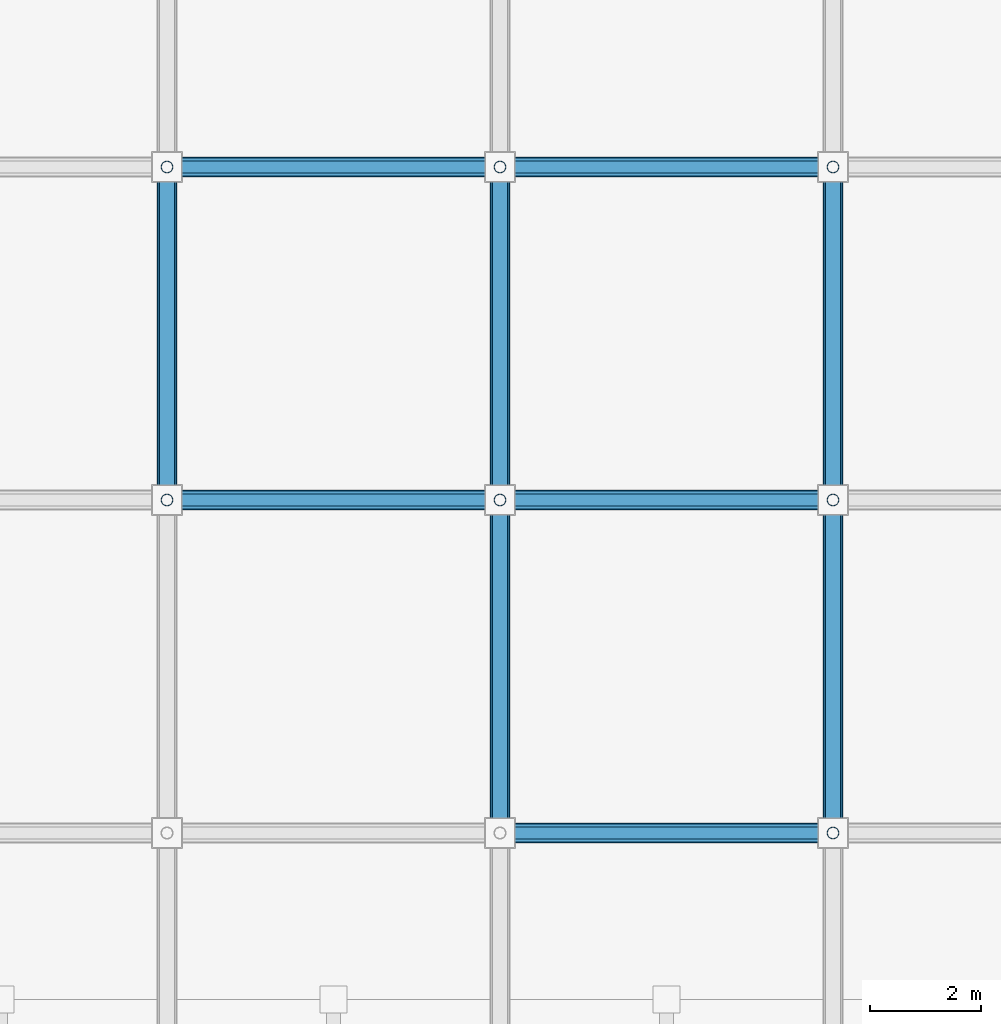
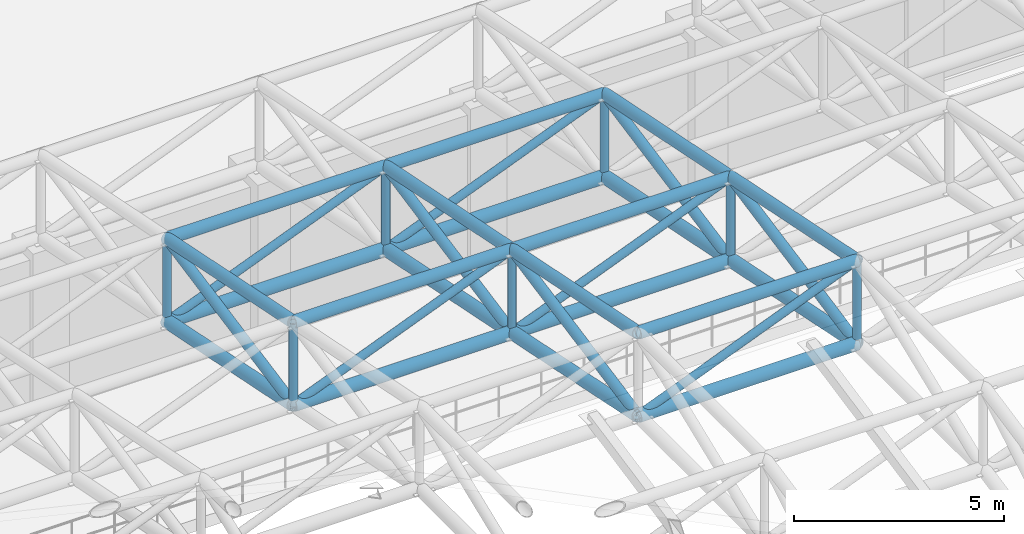
# One storey, part 30 of 112: 37 members.
"""IFC4 building model written with IfcOpenShell, lengths in metres."""

from ifc_helpers import new_model, si_unit, direction, frame, origin, origin_2d, place, context, subcontext, project, spatial, hollow_circle, extrude, material, material_profile, profile_set, type_object, element, save


model = new_model("IFC4")

# Units and contexts
model_context = context("Model", 3, precision=1e-05, world=origin(), true_north=direction((0.0, 1.0)))
body_context = subcontext(model_context, "Body", "Model", "MODEL_VIEW")
ifc_project = project(units=[si_unit("LENGTHUNIT", "METRE"), si_unit("AREAUNIT", "SQUARE_METRE"), si_unit("VOLUMEUNIT", "CUBIC_METRE"), si_unit("PLANEANGLEUNIT", "RADIAN"), si_unit("MASSUNIT", "GRAM", prefix="KILO"), si_unit("THERMODYNAMICTEMPERATUREUNIT", "KELVIN"), si_unit("POWERUNIT", "WATT")], contexts=[model_context])

# Site, building, storey
site_placement = place(None, origin())
site = spatial("IfcSite", under=ifc_project, at=site_placement, CompositionType="ELEMENT")
building_placement = place(site_placement, origin())
building = spatial("IfcBuilding", under=site, at=building_placement, Name="Phaisarnlok Congress Hotel", CompositionType="ELEMENT")
storey_placement = place(building_placement, frame((0.0, 0.0, 19.800048828125)))
storey = spatial("IfcBuildingStorey", under=building, at=storey_placement, Name="L04", CompositionType="ELEMENT", Elevation=19.800048828125)

# Members
ifc_material = material(Name="Steel S355", Category="steel")
ifc_material_profile_1 = material_profile(ifc_material, hollow_circle(Radius=0.109619140625, WallThickness=0.012451171875, at=origin_2d()), Name="CHS 219.1x12.5")
ifc_profile_set_1 = profile_set([ifc_material_profile_1], Name="Steel S355")
member_type_1 = type_object("IfcMemberType", Name="MEM-BRC-CHS219", PredefinedType="BRACE", material=ifc_profile_set_1)
member_1_placement = place(storey_placement, frame((18.0, 72.0, 7.241455078125), z_axis=(0.0, 0.0, 1.0), x_axis=(1.0, 0.0, 0.0)))
element("IfcMember", 1, at=member_1_placement, inside=storey, type_object=member_type_1, Name="Congress Hall space frame vertical brace TB-02", PredefinedType="BRACE", context=body_context, shape_type="SweptSolid", body=[
    extrude(hollow_circle(Radius=0.109619140625, WallThickness=0.012451171875, at=origin_2d()), origin(), (0.0, 0.0, 1.0), 2.39990234375),
])
member_2_placement = place(storey_placement, frame((18.0, 72.0, 7.241455078125), z_axis=(0.928481901832, 0.0, 0.371377648723), x_axis=(0.0, 1.0, 0.0)))
element("IfcMember", 2, at=member_2_placement, inside=storey, type_object=member_type_1, Name="Congress Hall space frame web diagonal TB-02", PredefinedType="BRACE", context=body_context, shape_type="SweptSolid", body=[
    extrude(hollow_circle(Radius=0.109619140625, WallThickness=0.012451171875, at=origin_2d()), origin(), (0.0, 0.0, 1.0), 6.462158203125),
])
member_3_placement = place(storey_placement, frame((18.0, 78.0, 6.020751953125), z_axis=(0.0, 0.0, 1.0), x_axis=(1.0, 0.0, 0.0)))
element("IfcMember", 3, at=member_3_placement, inside=storey, type_object=member_type_1, Name="Congress Hall space frame vertical brace TB-02", PredefinedType="BRACE", context=body_context, shape_type="SweptSolid", body=[
    extrude(hollow_circle(Radius=0.109619140625, WallThickness=0.012451171875, at=origin_2d()), origin(), (0.0, 0.0, 1.0), 2.39990234375),
])
for number, where, z_axis, x_axis, name in (
    (4, (18.0, 78.0, 6.020751953125), (0.928481901832, 0.0, 0.371377648723), (0.0, 1.0, 0.0), "Congress Hall space frame web diagonal TB-02"),
    (5, (24.0, 66.0, 8.462158203125), (0.928481901832, 0.0, 0.371377648723), (0.0, 1.0, 0.0), "Congress Hall space frame web diagonal TB-02"),
):
    element("IfcMember", number, at=place(storey_placement, frame(where, z_axis=z_axis, x_axis=x_axis)), inside=storey, type_object=member_type_1, Name=name, PredefinedType="BRACE", context=body_context, shape_type="SweptSolid", body=[
        extrude(hollow_circle(Radius=0.109619140625, WallThickness=0.012451171875, at=origin_2d()), origin(), (0.0, 0.0, 1.0), 6.462158203125),
    ])
member_4_placement = place(storey_placement, frame((24.0, 72.0, 7.241455078125), z_axis=(0.0, 0.0, 1.0), x_axis=(1.0, 0.0, 0.0)))
element("IfcMember", 6, at=member_4_placement, inside=storey, type_object=member_type_1, Name="Congress Hall space frame vertical brace TB-02", PredefinedType="BRACE", context=body_context, shape_type="SweptSolid", body=[
    extrude(hollow_circle(Radius=0.109619140625, WallThickness=0.012451171875, at=origin_2d()), origin(), (0.0, 0.0, 1.0), 2.39990234375),
])
member_5_placement = place(storey_placement, frame((24.0, 72.0, 7.241455078125), z_axis=(0.928481901832, 0.0, 0.371377648723), x_axis=(0.0, 1.0, 0.0)))
element("IfcMember", 7, at=member_5_placement, inside=storey, type_object=member_type_1, Name="Congress Hall space frame web diagonal TB-02", PredefinedType="BRACE", context=body_context, shape_type="SweptSolid", body=[
    extrude(hollow_circle(Radius=0.109619140625, WallThickness=0.012451171875, at=origin_2d()), origin(), (0.0, 0.0, 1.0), 6.462158203125),
])
member_6_placement = place(storey_placement, frame((24.0, 78.0, 6.020751953125), z_axis=(0.0, 0.0, 1.0), x_axis=(1.0, 0.0, 0.0)))
element("IfcMember", 8, at=member_6_placement, inside=storey, type_object=member_type_1, Name="Congress Hall space frame vertical brace TB-02", PredefinedType="BRACE", context=body_context, shape_type="SweptSolid", body=[
    extrude(hollow_circle(Radius=0.109619140625, WallThickness=0.012451171875, at=origin_2d()), origin(), (0.0, 0.0, 1.0), 2.39990234375),
])
member_7_placement = place(storey_placement, frame((24.0, 78.0, 6.020751953125), z_axis=(0.928481901832, 0.0, 0.371377648723), x_axis=(0.0, 1.0, 0.0)))
element("IfcMember", 9, at=member_7_placement, inside=storey, type_object=member_type_1, Name="Congress Hall space frame web diagonal TB-02", PredefinedType="BRACE", context=body_context, shape_type="SweptSolid", body=[
    extrude(hollow_circle(Radius=0.109619140625, WallThickness=0.012451171875, at=origin_2d()), origin(), (0.0, 0.0, 1.0), 6.462158203125),
])
for number, where, z_axis, x_axis, name in (
    (10, (30.0, 66.0, 8.462158203125), (0.0, 0.0, 1.0), (1.0, 0.0, 0.0), "Congress Hall space frame vertical brace TB-02"),
    (11, (30.0, 72.0, 7.241455078125), (0.0, 0.0, 1.0), (1.0, 0.0, 0.0), "Congress Hall space frame vertical brace TB-02"),
    (12, (30.0, 78.0, 6.020751953125), (0.0, 0.0, 1.0), (1.0, 0.0, 0.0), "Congress Hall space frame vertical brace TB-02"),
):
    element("IfcMember", number, at=place(storey_placement, frame(where, z_axis=z_axis, x_axis=x_axis)), inside=storey, type_object=member_type_1, Name=name, PredefinedType="BRACE", context=body_context, shape_type="SweptSolid", body=[
        extrude(hollow_circle(Radius=0.109619140625, WallThickness=0.012451171875, at=origin_2d()), origin(), (0.0, 0.0, 1.0), 2.39990234375),
    ])
ifc_material_profile_2 = material_profile(ifc_material, hollow_circle(Radius=0.136474609375, WallThickness=0.01611328125, at=origin_2d()), Name="CHS 273x16")
ifc_profile_set_2 = profile_set([ifc_material_profile_2], Name="Steel S355")
member_type_2 = type_object("IfcMemberType", Name="MEM-BRC-CHS273", PredefinedType="BRACE", material=ifc_profile_set_2)
for number, where, z_axis, x_axis, name in (
    (13, (18.0, 72.0, 7.241455078125), (0.0, 0.981229397887, 0.192844156567), (-1.0, 0.0, 0.0), "Congress Hall space frame raking brace TB-03"),
    (14, (24.0, 66.0, 8.462158203125), (0.0, 0.981229397887, 0.192844156567), (-1.0, 0.0, 0.0), "Congress Hall space frame raking brace TB-03"),
    (15, (24.0, 72.0, 7.241455078125), (0.0, 0.981229397887, 0.192844156567), (-1.0, 0.0, 0.0), "Congress Hall space frame raking brace TB-03"),
    (16, (30.0, 66.0, 8.462158203125), (0.0, 0.981229397887, 0.192844156567), (-1.0, 0.0, 0.0), "Congress Hall space frame raking brace TB-03"),
    (17, (30.0, 72.0, 7.241455078125), (0.0, 0.981229397887, 0.192844156567), (-1.0, 0.0, 0.0), "Congress Hall space frame raking brace TB-03"),
):
    element("IfcMember", number, at=place(storey_placement, frame(where, z_axis=z_axis, x_axis=x_axis)), inside=storey, type_object=member_type_2, Name=name, PredefinedType="BRACE", context=body_context, shape_type="SweptSolid", body=[
        extrude(hollow_circle(Radius=0.136474609375, WallThickness=0.01611328125, at=origin_2d()), origin(), (0.0, 0.0, 1.0), 6.11474609375),
    ])
ifc_material_profile_3 = material_profile(ifc_material, hollow_circle(Radius=0.161865234375, WallThickness=0.01611328125, at=origin_2d()), Name="CHS 323.9x16")
ifc_profile_set_3 = profile_set([ifc_material_profile_3], Name="Steel S355")
member_type_3 = type_object("IfcMemberType", Name="MEM-CHD-CHS324", PredefinedType="CHORD", material=ifc_profile_set_3)
member_8_placement = place(storey_placement, frame((18.0, 72.0, 9.641357421875), z_axis=(1.0, 0.0, 0.0), x_axis=(0.0, 1.0, 0.0)))
element("IfcMember", 18, at=member_8_placement, inside=storey, type_object=member_type_3, Name="Congress Hall space frame top chord TC-02", PredefinedType="CHORD", context=body_context, shape_type="SweptSolid", body=[
    extrude(hollow_circle(Radius=0.161865234375, WallThickness=0.01611328125, at=origin_2d()), origin(), (0.0, 0.0, 1.0), 6.0),
])
member_9_placement = place(storey_placement, frame((18.0, 72.0, 9.641357421875), z_axis=(0.0, 0.979925045119, -0.199366260807), x_axis=(-1.0, 0.0, 0.0)))
element("IfcMember", 19, at=member_9_placement, inside=storey, type_object=member_type_3, Name="Congress Hall space frame top chord TC-02", PredefinedType="CHORD", context=body_context, shape_type="SweptSolid", body=[
    extrude(hollow_circle(Radius=0.161865234375, WallThickness=0.01611328125, at=origin_2d()), origin(), (0.0, 0.0, 1.0), 6.122802734375),
])
for number, where, z_axis, x_axis, name in (
    (20, (18.0, 78.0, 8.420654296875), (1.0, 0.0, 0.0), (0.0, 1.0, 0.0), "Congress Hall space frame top chord TC-02"),
    (21, (24.0, 66.0, 10.862060546875), (1.0, 0.0, 0.0), (0.0, 1.0, 0.0), "Congress Hall space frame top chord TC-02"),
):
    element("IfcMember", number, at=place(storey_placement, frame(where, z_axis=z_axis, x_axis=x_axis)), inside=storey, type_object=member_type_3, Name=name, PredefinedType="CHORD", context=body_context, shape_type="SweptSolid", body=[
        extrude(hollow_circle(Radius=0.161865234375, WallThickness=0.01611328125, at=origin_2d()), origin(), (0.0, 0.0, 1.0), 6.0),
    ])
member_10_placement = place(storey_placement, frame((24.0, 66.0, 10.862060546875), z_axis=(0.0, 0.979925045119, -0.199366260807), x_axis=(-1.0, 0.0, 0.0)))
element("IfcMember", 22, at=member_10_placement, inside=storey, type_object=member_type_3, Name="Congress Hall space frame top chord TC-02", PredefinedType="CHORD", context=body_context, shape_type="SweptSolid", body=[
    extrude(hollow_circle(Radius=0.161865234375, WallThickness=0.01611328125, at=origin_2d()), origin(), (0.0, 0.0, 1.0), 6.122802734375),
])
member_11_placement = place(storey_placement, frame((24.0, 72.0, 9.641357421875), z_axis=(1.0, 0.0, 0.0), x_axis=(0.0, 1.0, 0.0)))
element("IfcMember", 23, at=member_11_placement, inside=storey, type_object=member_type_3, Name="Congress Hall space frame top chord TC-02", PredefinedType="CHORD", context=body_context, shape_type="SweptSolid", body=[
    extrude(hollow_circle(Radius=0.161865234375, WallThickness=0.01611328125, at=origin_2d()), origin(), (0.0, 0.0, 1.0), 6.0),
])
member_12_placement = place(storey_placement, frame((24.0, 72.0, 9.641357421875), z_axis=(0.0, 0.979925045119, -0.199366260807), x_axis=(-1.0, 0.0, 0.0)))
element("IfcMember", 24, at=member_12_placement, inside=storey, type_object=member_type_3, Name="Congress Hall space frame top chord TC-02", PredefinedType="CHORD", context=body_context, shape_type="SweptSolid", body=[
    extrude(hollow_circle(Radius=0.161865234375, WallThickness=0.01611328125, at=origin_2d()), origin(), (0.0, 0.0, 1.0), 6.122802734375),
])
member_13_placement = place(storey_placement, frame((24.0, 78.0, 8.420654296875), z_axis=(1.0, 0.0, 0.0), x_axis=(0.0, 1.0, 0.0)))
element("IfcMember", 25, at=member_13_placement, inside=storey, type_object=member_type_3, Name="Congress Hall space frame top chord TC-02", PredefinedType="CHORD", context=body_context, shape_type="SweptSolid", body=[
    extrude(hollow_circle(Radius=0.161865234375, WallThickness=0.01611328125, at=origin_2d()), origin(), (0.0, 0.0, 1.0), 6.0),
])
for number, where, z_axis, x_axis, name in (
    (26, (30.0, 66.0, 10.862060546875), (0.0, 0.979925045119, -0.199366260807), (-1.0, 0.0, 0.0), "Congress Hall space frame top chord TC-02"),
    (27, (30.0, 72.0, 9.641357421875), (0.0, 0.979925045119, -0.199366260807), (-1.0, 0.0, 0.0), "Congress Hall space frame top chord TC-02"),
):
    element("IfcMember", number, at=place(storey_placement, frame(where, z_axis=z_axis, x_axis=x_axis)), inside=storey, type_object=member_type_3, Name=name, PredefinedType="CHORD", context=body_context, shape_type="SweptSolid", body=[
        extrude(hollow_circle(Radius=0.161865234375, WallThickness=0.01611328125, at=origin_2d()), origin(), (0.0, 0.0, 1.0), 6.122802734375),
    ])
ifc_material_profile_4 = material_profile(ifc_material, hollow_circle(Radius=0.177734375, WallThickness=0.02001953125, at=origin_2d()), Name="CHS 355.6x20")
ifc_profile_set_4 = profile_set([ifc_material_profile_4], Name="Steel S355")
member_type_4 = type_object("IfcMemberType", Name="MEM-CHD-CHS356", PredefinedType="CHORD", material=ifc_profile_set_4)
member_14_placement = place(storey_placement, frame((18.0, 72.0, 7.241455078125), z_axis=(1.0, 0.0, 0.0), x_axis=(0.0, 1.0, 0.0)))
element("IfcMember", 28, at=member_14_placement, inside=storey, type_object=member_type_4, Name="Congress Hall space frame bottom chord TC-01", PredefinedType="CHORD", context=body_context, shape_type="SweptSolid", body=[
    extrude(hollow_circle(Radius=0.177734375, WallThickness=0.02001953125, at=origin_2d()), origin(), (0.0, 0.0, 1.0), 6.0),
])
member_15_placement = place(storey_placement, frame((18.0, 72.0, 7.241455078125), z_axis=(0.0, 0.979925045119, -0.199366260807), x_axis=(-1.0, 0.0, 0.0)))
element("IfcMember", 29, at=member_15_placement, inside=storey, type_object=member_type_4, Name="Congress Hall space frame bottom chord TC-01", PredefinedType="CHORD", context=body_context, shape_type="SweptSolid", body=[
    extrude(hollow_circle(Radius=0.177734375, WallThickness=0.02001953125, at=origin_2d()), origin(), (0.0, 0.0, 1.0), 6.122802734375),
])
for number, where, z_axis, x_axis, name in (
    (30, (18.0, 78.0, 6.020751953125), (1.0, 0.0, 0.0), (0.0, 1.0, 0.0), "Congress Hall space frame bottom chord TC-01"),
    (31, (24.0, 66.0, 8.462158203125), (1.0, 0.0, 0.0), (0.0, 1.0, 0.0), "Congress Hall space frame bottom chord TC-01"),
):
    element("IfcMember", number, at=place(storey_placement, frame(where, z_axis=z_axis, x_axis=x_axis)), inside=storey, type_object=member_type_4, Name=name, PredefinedType="CHORD", context=body_context, shape_type="SweptSolid", body=[
        extrude(hollow_circle(Radius=0.177734375, WallThickness=0.02001953125, at=origin_2d()), origin(), (0.0, 0.0, 1.0), 6.0),
    ])
member_16_placement = place(storey_placement, frame((24.0, 66.0, 8.462158203125), z_axis=(0.0, 0.979925045119, -0.199366260807), x_axis=(-1.0, 0.0, 0.0)))
element("IfcMember", 32, at=member_16_placement, inside=storey, type_object=member_type_4, Name="Congress Hall space frame bottom chord TC-01", PredefinedType="CHORD", context=body_context, shape_type="SweptSolid", body=[
    extrude(hollow_circle(Radius=0.177734375, WallThickness=0.02001953125, at=origin_2d()), origin(), (0.0, 0.0, 1.0), 6.122802734375),
])
member_17_placement = place(storey_placement, frame((24.0, 72.0, 7.241455078125), z_axis=(1.0, 0.0, 0.0), x_axis=(0.0, 1.0, 0.0)))
element("IfcMember", 33, at=member_17_placement, inside=storey, type_object=member_type_4, Name="Congress Hall space frame bottom chord TC-01", PredefinedType="CHORD", context=body_context, shape_type="SweptSolid", body=[
    extrude(hollow_circle(Radius=0.177734375, WallThickness=0.02001953125, at=origin_2d()), origin(), (0.0, 0.0, 1.0), 6.0),
])
member_18_placement = place(storey_placement, frame((24.0, 72.0, 7.241455078125), z_axis=(0.0, 0.979925045119, -0.199366260807), x_axis=(-1.0, 0.0, 0.0)))
element("IfcMember", 34, at=member_18_placement, inside=storey, type_object=member_type_4, Name="Congress Hall space frame bottom chord TC-01", PredefinedType="CHORD", context=body_context, shape_type="SweptSolid", body=[
    extrude(hollow_circle(Radius=0.177734375, WallThickness=0.02001953125, at=origin_2d()), origin(), (0.0, 0.0, 1.0), 6.122802734375),
])
member_19_placement = place(storey_placement, frame((24.0, 78.0, 6.020751953125), z_axis=(1.0, 0.0, 0.0), x_axis=(0.0, 1.0, 0.0)))
element("IfcMember", 35, at=member_19_placement, inside=storey, type_object=member_type_4, Name="Congress Hall space frame bottom chord TC-01", PredefinedType="CHORD", context=body_context, shape_type="SweptSolid", body=[
    extrude(hollow_circle(Radius=0.177734375, WallThickness=0.02001953125, at=origin_2d()), origin(), (0.0, 0.0, 1.0), 6.0),
])
for number, where, z_axis, x_axis, name in (
    (36, (30.0, 66.0, 8.462158203125), (0.0, 0.979925045119, -0.199366260807), (-1.0, 0.0, 0.0), "Congress Hall space frame bottom chord TC-01"),
    (37, (30.0, 72.0, 7.241455078125), (0.0, 0.979925045119, -0.199366260807), (-1.0, 0.0, 0.0), "Congress Hall space frame bottom chord TC-01"),
):
    element("IfcMember", number, at=place(storey_placement, frame(where, z_axis=z_axis, x_axis=x_axis)), inside=storey, type_object=member_type_4, Name=name, PredefinedType="CHORD", context=body_context, shape_type="SweptSolid", body=[
        extrude(hollow_circle(Radius=0.177734375, WallThickness=0.02001953125, at=origin_2d()), origin(), (0.0, 0.0, 1.0), 6.122802734375),
    ])

save(model, "model.ifc")
